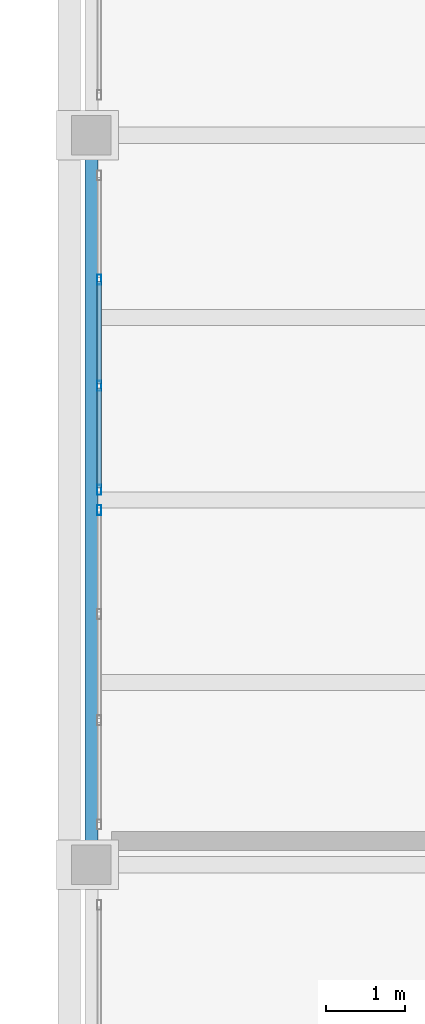
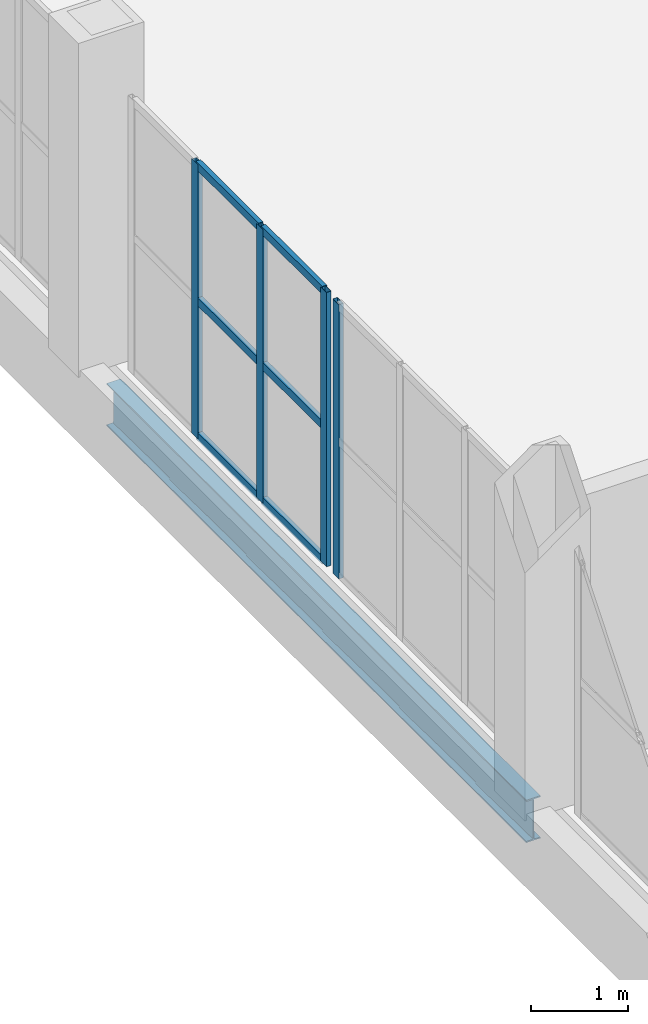
# One storey, part 10 of 26: 10 members, 1 beam, 2 elements without a shape of their own.
"""IFC4 building model written with IfcOpenShell, lengths in metres."""

from ifc_helpers import new_model, si_unit, direction, frame, origin, origin_2d, place, context, subcontext, project, spatial, hollow_rectangle, i_section, extrude, material, material_profile, profile_set, type_object, element, aggregate, save


model = new_model("IFC4")

# Units and contexts
model_context = context("Model", 3, precision=1e-05, world=origin(), true_north=direction((0.0, 1.0)))
body_context = subcontext(model_context, "Body", "Model", "MODEL_VIEW")
ifc_project = project(units=[si_unit("LENGTHUNIT", "METRE"), si_unit("AREAUNIT", "SQUARE_METRE"), si_unit("VOLUMEUNIT", "CUBIC_METRE"), si_unit("PLANEANGLEUNIT", "RADIAN"), si_unit("MASSUNIT", "GRAM", prefix="KILO")], contexts=[model_context])

# Site, building, storey
site_placement = place(None, origin())
site = spatial("IfcSite", under=ifc_project, at=site_placement, CompositionType="ELEMENT")
building_placement = place(site_placement, origin())
building = spatial("IfcBuilding", under=site, at=building_placement, Name="Caurita Quay Ferry Terminal", CompositionType="ELEMENT")
storey_placement = place(building_placement, frame((0.0, 0.0, 18.300048828125)))
storey = spatial("IfcBuildingStorey", under=building, at=storey_placement, Name="L04", CompositionType="ELEMENT", Elevation=18.300048828125)

# Beam
ifc_material_1 = material(Name="Structural steel ASTM A992 Gr. 50", Category="steel")
ifc_material_profile_1 = material_profile(ifc_material_1, i_section(OverallWidth=0.16650390625, OverallDepth=0.535888671875, WebThickness=0.01025390625, FlangeThickness=0.0166015625, FilletRadius=0.013916015625, at=origin_2d()), Name="W21X57")
ifc_profile_set_1 = profile_set([ifc_material_profile_1], Name="Structural steel ASTM A992 Gr. 50")
beam_type = type_object("IfcBeamType", Name="BM-SP-W21B", PredefinedType="SPANDREL", material=ifc_profile_set_1)
beam_placement = place(storey_placement, frame((0.0, 80.476318359375, -0.488037109375), z_axis=(0.0, 1.0, 0.0), x_axis=(-1.0, 0.0, 0.0)))
element("IfcBeam", 1, at=beam_placement, inside=storey, type_object=beam_type, Name="L04 Beam BM-V5-L04-Y-0-805", PredefinedType="SPANDREL", context=body_context, shape_type="SweptSolid", body=[
    extrude(i_section(OverallWidth=0.16650390625, OverallDepth=0.535888671875, WebThickness=0.01025390625, FlangeThickness=0.0166015625, FilletRadius=0.013916015625, at=origin_2d()), origin(), (0.0, 0.0, 1.0), 8.6474609375),
])

# Curtain wall, member
ifc_material_2 = material(Name="Laminated solar-control insulated glass", Category="glass")
curtain_wall_type = type_object("IfcCurtainWallType", Name="CW-SYS-21", PredefinedType="NOTDEFINED", material=ifc_material_2)
curtain_wall_1_placement = place(storey_placement, origin())
curtain_wall_1 = element("IfcCurtainWall", 2, at=curtain_wall_1_placement, inside=storey, type_object=curtain_wall_type, Name="VTS Watch Panoramic Curtain Wall 144", PredefinedType="NOTDEFINED")
ifc_material_3 = material(Name="Anodized aluminium 6063-T6", Category="aluminium")
ifc_material_profile_2 = material_profile(ifc_material_3, hollow_rectangle(XDim=0.054931640625, YDim=0.125, WallThickness=0.00341796875, at=origin_2d()), Name="ALU-MUL-55X125")
ifc_profile_set_2 = profile_set([ifc_material_profile_2], Name="Anodized aluminium 6063-T6")
member_type_1 = type_object("IfcMemberType", Name="CW-MUL-125", PredefinedType="MULLION", material=ifc_profile_set_2)
member_1_placement = place(storey_placement, frame((0.10009765625, 84.672607421875, 0.0), z_axis=(0.0, 0.0, 1.0), x_axis=(-1.0, 0.0, 0.0)))
member_1 = element("IfcMember", 3, at=member_1_placement, type_object=member_type_1, Name="CW-VTS-144 Mullion 4", PredefinedType="MULLION", context=body_context, shape_type="SweptSolid", body=[
    extrude(hollow_rectangle(XDim=0.054931640625, YDim=0.125, WallThickness=0.00341796875, at=origin_2d()), origin(), (0.0, 0.0, 1.0), 3.449951171875),
])
aggregate(curtain_wall_1, [member_1])

# Curtain wall, members
curtain_wall_2_placement = place(storey_placement, origin())
curtain_wall_2 = element("IfcCurtainWall", 4, at=curtain_wall_2_placement, inside=storey, type_object=curtain_wall_type, Name="VTS Watch Panoramic Curtain Wall 145", PredefinedType="NOTDEFINED")
member_2_placement = place(storey_placement, frame((0.10009765625, 84.927490234375, 0.0), z_axis=(0.0, 0.0, 1.0), x_axis=(-1.0, 0.0, 0.0)))
member_2 = element("IfcMember", 5, at=member_2_placement, type_object=member_type_1, Name="CW-VTS-145 Mullion 1", PredefinedType="MULLION", context=body_context, shape_type="SweptSolid", body=[
    extrude(hollow_rectangle(XDim=0.054931640625, YDim=0.125, WallThickness=0.00341796875, at=origin_2d()), origin(), (0.0, 0.0, 1.0), 3.449951171875),
])
member_3_placement = place(storey_placement, frame((0.10009765625, 86.239990234375, 0.0), z_axis=(0.0, 0.0, 1.0), x_axis=(-1.0, 0.0, 0.0)))
member_3 = element("IfcMember", 6, at=member_3_placement, type_object=member_type_1, Name="CW-VTS-145 Mullion 2", PredefinedType="MULLION", context=body_context, shape_type="SweptSolid", body=[
    extrude(hollow_rectangle(XDim=0.054931640625, YDim=0.125, WallThickness=0.00341796875, at=origin_2d()), origin(), (0.0, 0.0, 1.0), 3.449951171875),
])
member_4_placement = place(storey_placement, frame((0.10009765625, 87.580078125, 0.0), z_axis=(0.0, 0.0, 1.0), x_axis=(-1.0, 0.0, 0.0)))
member_4 = element("IfcMember", 7, at=member_4_placement, type_object=member_type_1, Name="CW-VTS-145 Mullion 3", PredefinedType="MULLION", context=body_context, shape_type="SweptSolid", body=[
    extrude(hollow_rectangle(XDim=0.054931640625, YDim=0.125, WallThickness=0.00341796875, at=origin_2d()), origin(), (0.0, 0.0, 1.0), 3.449951171875),
])
ifc_material_profile_3 = material_profile(ifc_material_3, hollow_rectangle(XDim=0.054931640625, YDim=0.10009765625, WallThickness=0.00341796875, at=origin_2d()), Name="ALU-TRN-55X100")
ifc_profile_set_3 = profile_set([ifc_material_profile_3], Name="Anodized aluminium 6063-T6")
member_type_2 = type_object("IfcMemberType", Name="CW-TRN-100", PredefinedType="USERDEFINED", material=ifc_profile_set_3)
member_5_placement = place(storey_placement, frame((0.10009765625, 84.952880859375, 0.02734375), z_axis=(0.0, 1.0, 0.0), x_axis=(-1.0, 0.0, 0.0)))
member_5 = element("IfcMember", 8, at=member_5_placement, type_object=member_type_2, Name="CW-VTS-145 Transom 1", ObjectType="TRANSOM", PredefinedType="USERDEFINED", context=body_context, shape_type="SweptSolid", body=[
    extrude(hollow_rectangle(XDim=0.054931640625, YDim=0.10009765625, WallThickness=0.00341796875, at=origin_2d()), origin(), (0.0, 0.0, 1.0), 1.26171875),
])
member_6_placement = place(storey_placement, frame((0.10009765625, 84.952880859375, 1.724853515625), z_axis=(0.0, 1.0, 0.0), x_axis=(-1.0, 0.0, 0.0)))
member_6 = element("IfcMember", 9, at=member_6_placement, type_object=member_type_2, Name="CW-VTS-145 Transom 2", ObjectType="TRANSOM", PredefinedType="USERDEFINED", context=body_context, shape_type="SweptSolid", body=[
    extrude(hollow_rectangle(XDim=0.054931640625, YDim=0.10009765625, WallThickness=0.00341796875, at=origin_2d()), origin(), (0.0, 0.0, 1.0), 1.26171875),
])
member_7_placement = place(storey_placement, frame((0.10009765625, 84.952880859375, 3.42236328125), z_axis=(0.0, 1.0, 0.0), x_axis=(-1.0, 0.0, 0.0)))
member_7 = element("IfcMember", 10, at=member_7_placement, type_object=member_type_2, Name="CW-VTS-145 Transom 3", ObjectType="TRANSOM", PredefinedType="USERDEFINED", context=body_context, shape_type="SweptSolid", body=[
    extrude(hollow_rectangle(XDim=0.054931640625, YDim=0.10009765625, WallThickness=0.00341796875, at=origin_2d()), origin(), (0.0, 0.0, 1.0), 1.26171875),
])
member_8_placement = place(storey_placement, frame((0.10009765625, 86.265380859375, 0.02734375), z_axis=(0.0, 1.0, 0.0), x_axis=(-1.0, 0.0, 0.0)))
member_8 = element("IfcMember", 11, at=member_8_placement, type_object=member_type_2, Name="CW-VTS-145 Transom 4", ObjectType="TRANSOM", PredefinedType="USERDEFINED", context=body_context, shape_type="SweptSolid", body=[
    extrude(hollow_rectangle(XDim=0.054931640625, YDim=0.10009765625, WallThickness=0.00341796875, at=origin_2d()), origin(), (0.0, 0.0, 1.0), 1.2890625),
])
member_9_placement = place(storey_placement, frame((0.10009765625, 86.265380859375, 1.724853515625), z_axis=(0.0, 1.0, 0.0), x_axis=(-1.0, 0.0, 0.0)))
member_9 = element("IfcMember", 12, at=member_9_placement, type_object=member_type_2, Name="CW-VTS-145 Transom 5", ObjectType="TRANSOM", PredefinedType="USERDEFINED", context=body_context, shape_type="SweptSolid", body=[
    extrude(hollow_rectangle(XDim=0.054931640625, YDim=0.10009765625, WallThickness=0.00341796875, at=origin_2d()), origin(), (0.0, 0.0, 1.0), 1.2890625),
])
member_10_placement = place(storey_placement, frame((0.10009765625, 86.265380859375, 3.42236328125), z_axis=(0.0, 1.0, 0.0), x_axis=(-1.0, 0.0, 0.0)))
member_10 = element("IfcMember", 13, at=member_10_placement, type_object=member_type_2, Name="CW-VTS-145 Transom 6", ObjectType="TRANSOM", PredefinedType="USERDEFINED", context=body_context, shape_type="SweptSolid", body=[
    extrude(hollow_rectangle(XDim=0.054931640625, YDim=0.10009765625, WallThickness=0.00341796875, at=origin_2d()), origin(), (0.0, 0.0, 1.0), 1.2890625),
])
aggregate(curtain_wall_2, [member_2, member_3, member_4, member_5, member_6, member_7, member_8, member_9, member_10])

save(model, "model.ifc")
